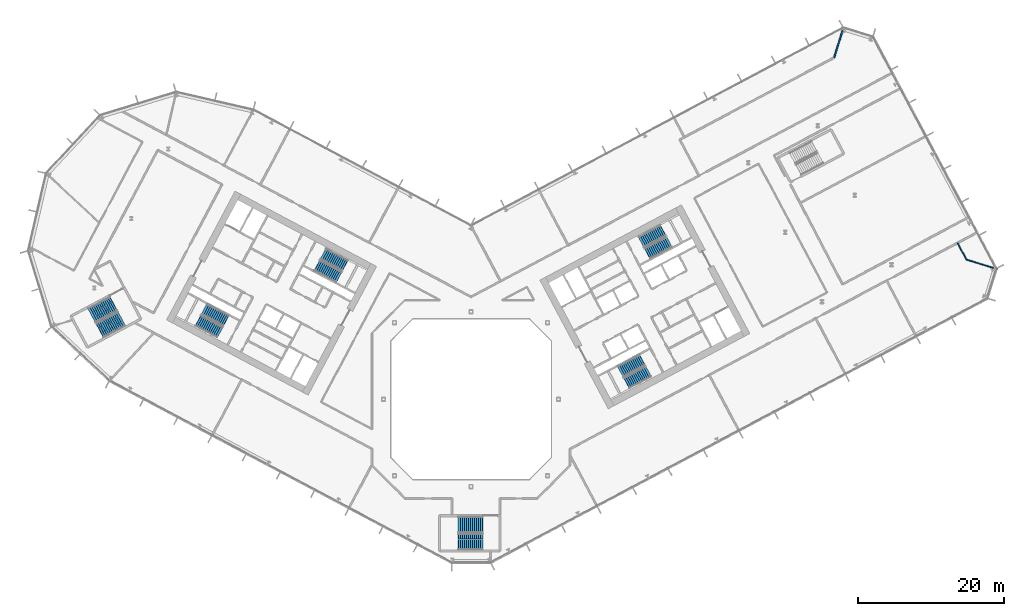
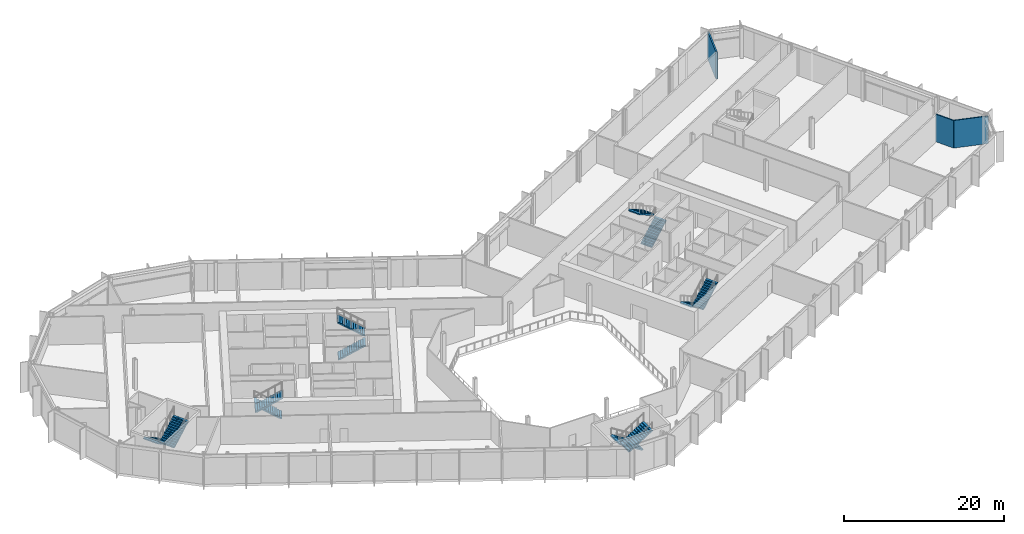
# One storey, part 19 of 32: 12 stair flights, 3 walls, 6 elements without a shape of their own.
"""IFC4 building model written with IfcOpenShell, lengths in metres."""

import ifcopenshell
import ifcopenshell.guid

model = None  # the IFC model being written
_history = None  # IfcOwnerHistory: only IFC2X3 demands one
_inside = {}  # id of a spatial element -> (the spatial element, [elements in it])
_under = {}  # id of a project, library or spatial element -> (it, [spatial elements below it])
_declared = {}  # id of a project -> (the project, [libraries it declares])
_typed = {}  # id of a type object -> (the type object, [elements of that type])
_made_of = {}  # id of a material, layer set ... -> (it, [elements and type objects made of it])


def new_model(schema):
    """Start an empty IFC model of exactly this schema.

    Asked for "IFC4X3", IfcOpenShell would pick the latest addendum, in which some entities
    have other attributes; the version numbers below select the first issue.
    IFC2X3 requires an IfcOwnerHistory on every rooted entity: one is made here for all.
    """
    global model, _history
    if schema == "IFC4X3":
        model = ifcopenshell.file(schema_version=(4, 3, 0, 0))
    else:
        model = ifcopenshell.file(schema=schema)
    _inside.clear()
    _under.clear()
    _declared.clear()
    _typed.clear()
    _made_of.clear()
    _history = None
    if model.schema == "IFC2X3":
        org = make("IfcOrganization", Name="unknown")
        user = make(
            "IfcPersonAndOrganization",
            ThePerson=make("IfcPerson", FamilyName="unknown"),
            TheOrganization=org,
        )
        app = make(
            "IfcApplication",
            ApplicationDeveloper=org,
            Version="unknown",
            ApplicationFullName="unknown",
            ApplicationIdentifier="unknown",
        )
        _history = make(
            "IfcOwnerHistory",
            OwningUser=user,
            OwningApplication=app,
            ChangeAction="ADDED",
            CreationDate=0,
        )
    return model


def make(cls, **values):
    """One entity of the class cls with the attributes given. An attribute that is None is left unset."""
    return model.create_entity(
        cls, **{name: value for name, value in values.items() if value is not None}
    )


def rooted(cls, **values):
    """An entity with a GlobalId (a new one), such as an element, a storey or a relation."""
    return make(cls, GlobalId=ifcopenshell.guid.new(), OwnerHistory=_history, **values)


def si_unit(unit_type, name, prefix=None):
    """IfcSIUnit, for example si_unit("LENGTHUNIT", "METRE", prefix="MILLI")."""
    return make("IfcSIUnit", UnitType=unit_type, Prefix=prefix, Name=name)


def assignment(units):
    """IfcUnitAssignment: the units of a project."""
    return None if units is None else make("IfcUnitAssignment", Units=units)


def point(xyz):
    """IfcCartesianPoint."""
    return None if xyz is None else make("IfcCartesianPoint", Coordinates=xyz)


def direction(xyz):
    """IfcDirection."""
    return None if xyz is None else make("IfcDirection", DirectionRatios=xyz)


def frame(location, z_axis=None, x_axis=None):
    """IfcAxis2Placement3D, a coordinate frame: its origin and axes. An axis left out is left unset."""
    return make(
        "IfcAxis2Placement3D",
        Location=point(location),
        Axis=direction(z_axis),
        RefDirection=direction(x_axis),
    )


def frame_2d(location, x_axis=None):
    """IfcAxis2Placement2D, a coordinate frame in the plane: its origin and x axis."""
    return make(
        "IfcAxis2Placement2D", Location=point(location), RefDirection=direction(x_axis)
    )


def origin():
    """The frame at (0, 0, 0) with its axes left unset."""
    return frame((0.0, 0.0, 0.0))


def place(relative_to, where):
    """IfcLocalPlacement: puts the frame where relative to a parent placement (None: the world)."""
    return make(
        "IfcLocalPlacement", PlacementRelTo=relative_to, RelativePlacement=where
    )


def context(
    kind, dimensions, precision=None, world=None, true_north=None, identifier=None
):
    """IfcGeometricRepresentationContext, for example the 3D "Model" context."""
    return make(
        "IfcGeometricRepresentationContext",
        ContextIdentifier=identifier,
        ContextType=kind,
        CoordinateSpaceDimension=dimensions,
        Precision=precision,
        WorldCoordinateSystem=world,
        TrueNorth=true_north,
    )


def subcontext(parent, identifier, kind, view, scale=None):
    """IfcGeometricRepresentationSubContext, for example "Body" below "Model"."""
    return make(
        "IfcGeometricRepresentationSubContext",
        ContextIdentifier=identifier,
        ContextType=kind,
        ParentContext=parent,
        TargetScale=scale,
        TargetView=view,
    )


def project(units=None, contexts=None):
    """IfcProject with its units and contexts."""
    return rooted(
        "IfcProject",
        Name="project",
        RepresentationContexts=contexts,
        UnitsInContext=assignment(units),
    )


def spatial(cls, under=None, at=None, **own):
    """A site, building, storey or space (cls), placed at a placement, below another one or the project."""
    s = rooted(cls, ObjectPlacement=at, **own)
    if under is not None:
        _under.setdefault(under.id(), (under, []))[1].append(s)
    return s


def polyline(points):
    """IfcPolyline through the points."""
    return make("IfcPolyline", Points=[point(p) for p in points])


def profile(cls, at=None, kind="AREA", **sizes):
    """A parametric profile (cls). Its sizes go by their IFC names, for example OverallWidth=200.0."""
    return make(cls, ProfileType=kind, Position=at, **sizes)


def rectangle(**sizes):
    """IfcRectangleProfileDef."""
    return profile("IfcRectangleProfileDef", **sizes)


def outline(outer, holes=None, kind="AREA"):
    """IfcArbitraryClosedProfileDef: a profile drawn as a closed curve; with holes, ...WithVoids."""
    if holes is None:
        return make("IfcArbitraryClosedProfileDef", ProfileType=kind, OuterCurve=outer)
    return make(
        "IfcArbitraryProfileDefWithVoids",
        ProfileType=kind,
        OuterCurve=outer,
        InnerCurves=holes,
    )


def extrude(swept, where, along, depth):
    """IfcExtrudedAreaSolid: the profile swept, set in the frame where, extruded along a direction by depth."""
    return make(
        "IfcExtrudedAreaSolid",
        SweptArea=swept,
        Position=where,
        ExtrudedDirection=direction(along),
        Depth=depth,
    )


def shape(context_of_items, identifier, shape_type, items):
    """IfcShapeRepresentation: the items that make up one representation, for example the "Body"."""
    return make(
        "IfcShapeRepresentation",
        ContextOfItems=context_of_items,
        RepresentationIdentifier=identifier,
        RepresentationType=shape_type,
        Items=items,
    )


def material(Name=None, Category=None):
    """IfcMaterial."""
    return make("IfcMaterial", Name=Name, Category=Category)


def layer(
    of_material, thickness, ventilated=None, Name=None, Category=None, Priority=None
):
    """IfcMaterialLayer: one layer of a wall or slab, of a material (None: an air gap)."""
    return make(
        "IfcMaterialLayer",
        Material=of_material,
        LayerThickness=thickness,
        IsVentilated=ventilated,
        Name=Name,
        Category=Category,
        Priority=Priority,
    )


def layer_set(layers, Name=None):
    """IfcMaterialLayerSet."""
    return make("IfcMaterialLayerSet", MaterialLayers=layers, LayerSetName=Name)


def made_of(thing, what):
    """Note that an element or type object is made of a material, layer set ...; save() writes the relation."""
    if what is not None:
        _made_of.setdefault(what.id(), (what, []))[1].append(thing)
    return thing


def type_object(cls, material=None, **own):
    """A type object (cls), such as IfcWallType, which elements share."""
    return made_of(rooted(cls, **own), material)


def element(
    cls,
    number,
    at=None,
    inside=None,
    cuts=None,
    type_object=None,
    material=None,
    context=None,
    identifier="Body",
    shape_type=None,
    held_by="IfcProductDefinitionShape",
    body=None,
    shapes=None,
    **own,
):
    """One element of the class cls, such as IfcWall. Its Tag is "e" and its number.

    at: its placement. inside: the storey or other place that contains it. cuts: it is an
    opening in that element (IfcRelVoidsElement). A single representation is given by context,
    identifier, shape_type and body (its items); several are given by shapes. held_by: the class
    of the entity that holds the representations. save() writes the other relations.
    """
    e = rooted(cls, Tag="e%d" % number, ObjectPlacement=at, **own)
    if body is not None:
        shapes = [shape(context, identifier, shape_type, body)]
    if shapes is not None:
        e.Representation = make(held_by, Representations=shapes)
    if inside is not None:
        _inside.setdefault(inside.id(), (inside, []))[1].append(e)
    if cuts is not None:
        rooted(
            "IfcRelVoidsElement", RelatingBuildingElement=cuts, RelatedOpeningElement=e
        )
    if type_object is not None:
        _typed.setdefault(type_object.id(), (type_object, []))[1].append(e)
    return made_of(e, material)


def aggregate(whole, parts):
    """IfcRelAggregates: a whole, such as a stair, and the parts it consists of."""
    return rooted("IfcRelAggregates", RelatingObject=whole, RelatedObjects=parts)


def save(model, path):
    """Write the relations noted so far, then the file.

    IfcRelAggregates (storeys below a building ...), IfcRelContainedInSpatialStructure (elements
    in a storey), IfcRelDefinesByType, IfcRelAssociatesMaterial and IfcRelDeclares: one each for
    every whole, place, type object, material and project.
    """
    for whole, parts in _under.values():
        aggregate(whole, parts)
    for where, things in _inside.values():
        rooted(
            "IfcRelContainedInSpatialStructure",
            RelatedElements=things,
            RelatingStructure=where,
        )
    for kind, things in _typed.values():
        rooted("IfcRelDefinesByType", RelatedObjects=things, RelatingType=kind)
    for what, things in _made_of.values():
        rooted("IfcRelAssociatesMaterial", RelatedObjects=things, RelatingMaterial=what)
    for by, libraries in _declared.values():
        rooted("IfcRelDeclares", RelatingContext=by, RelatedDefinitions=libraries)
    model.write(path)


model = new_model("IFC4")

# Units and contexts
model_context = context("Model", 3, precision=1e-05, world=origin(), true_north=direction((0.0, 1.0)))
body_context = subcontext(model_context, "Body", "Model", "MODEL_VIEW")
ifc_project = project(units=[si_unit("LENGTHUNIT", "METRE"), si_unit("AREAUNIT", "SQUARE_METRE"), si_unit("VOLUMEUNIT", "CUBIC_METRE"), si_unit("PLANEANGLEUNIT", "RADIAN"), si_unit("MASSUNIT", "GRAM", prefix="KILO")], contexts=[model_context])

# Site, building, storey
site_placement = place(None, origin())
site = spatial("IfcSite", under=ifc_project, at=site_placement, CompositionType="ELEMENT")
building_placement = place(site_placement, origin())
building = spatial("IfcBuilding", under=site, at=building_placement, Name="Cormorant Relay Tower", CompositionType="ELEMENT")
storey_placement = place(building_placement, frame((0.0, 0.0, 70.800048828125)))
storey = spatial("IfcBuildingStorey", under=building, at=storey_placement, Name="L13", CompositionType="ELEMENT", Elevation=70.800048828125)

# Walls
ifc_material_1 = material(Name="Fire-rated gypsum board partition")
ifc_layer_1 = layer(ifc_material_1, 0.199951171875)
ifc_layer_set_1 = layer_set([ifc_layer_1], Name="Fire-rated gypsum partition 200")
wall_type_1 = type_object("IfcWallType", Name="Fire-rated gypsum partition 200", PredefinedType="PARTITIONING", material=ifc_layer_set_1)
wall_1_placement = place(storey_placement, frame((49.823974609375, 46.8779296875, 0.0), z_axis=(0.0, 0.0, 1.0), x_axis=(0.29242717897, 0.956287794024, 0.0)))
element("IfcWall", 1, at=wall_1_placement, inside=storey, type_object=wall_type_1, Name="wall/L13/part/39", PredefinedType="PARTITIONING", context=body_context, shape_type="SweptSolid", body=[
    extrude(rectangle(XDim=4.458984375, YDim=0.199951171875, at=frame_2d((2.2294921875, 0.0))), origin(), (0.0, 0.0, 1.0), 4.199951171875),
])
ifc_material_2 = material(Name="Gypsum board partition")
ifc_layer_2 = layer(ifc_material_2, 0.14990234375)
ifc_layer_set_2 = layer_set([ifc_layer_2], Name="Gypsum board partition 150")
wall_type_2 = type_object("IfcWallType", Name="Gypsum board partition 150", PredefinedType="PARTITIONING", material=ifc_layer_set_2)
wall_2_placement = place(storey_placement, frame((66.743896484375, 21.445068359375, 0.0), z_axis=(0.0, 0.0, 1.0), x_axis=(0.469720428517, -0.882815223608, 0.0)))
element("IfcWall", 2, at=wall_2_placement, inside=storey, type_object=wall_type_2, Name="wall/L13/part/50", PredefinedType="PARTITIONING", context=body_context, shape_type="SweptSolid", body=[
    extrude(rectangle(XDim=2.599853515625, YDim=0.14990234375, at=frame_2d((1.2998046875, 0.0))), origin(), (0.0, 0.0, 1.0), 4.199951171875),
])
wall_3_placement = place(storey_placement, frame((67.965087890625, 19.14990234375, 0.0), z_axis=(0.0, 0.0, 1.0), x_axis=(0.956221844793, -0.292642757539, 0.0)))
element("IfcWall", 3, at=wall_3_placement, inside=storey, type_object=wall_type_2, Name="wall/L13/part/51", PredefinedType="PARTITIONING", context=body_context, shape_type="SweptSolid", body=[
    extrude(rectangle(XDim=4.459228515625, YDim=0.14990234375, at=frame_2d((2.2294921875, 0.0))), origin(), (0.0, 0.0, 1.0), 4.199951171875),
])

# Stair, stair flights
ifc_material_3 = material(Name="Concrete 40 MPa", Category="concrete")
stair_type_1 = type_object("IfcStairType", Name="Exit stair 1500", PredefinedType="HALF_TURN_STAIR", material=ifc_material_3)
stair_1_placement = place(storey_placement, origin())
stair_1 = element("IfcStair", 4, at=stair_1_placement, inside=storey, type_object=stair_type_1, Name="L13 Stair", PredefinedType="HALF_TURN_STAIR")
ifc_material_4 = material(Name="Concrete 40 MPa", Category="concrete")
stair_flight_type_1 = type_object("IfcStairFlightType", Name="Exit stair flight 1650", PredefinedType="STRAIGHT", material=ifc_material_4)
stair_flight_1_placement = place(storey_placement, frame((-21.114501953125, 18.33349609375, 0.0), z_axis=(0.0, 0.0, 1.0), x_axis=(0.882947592859, -0.469471562786, 0.0)))
stair_flight_1 = element("IfcStairFlight", 5, at=stair_flight_1_placement, type_object=stair_flight_type_1, Name="A1 flight 1", NumberOfRisers=13, NumberOfTreads=12, PredefinedType="STRAIGHT", RiserHeight=0.176923077, TreadLength=0.28, context=body_context, shape_type="SweptSolid", body=[
    extrude(outline(polyline([(-0.050048828125, -0.080078125), (-0.050048828125, 0.0), (0.0, 0.0), (0.0, 0.177001953125), (0.280029296875, 0.177001953125), (0.280029296875, 0.353759765625), (0.56005859375, 0.353759765625), (0.56005859375, 0.53076171875), (0.840087890625, 0.53076171875), (0.840087890625, 0.707763671875), (1.1201171875, 0.707763671875), (1.1201171875, 0.884521484375), (1.39990234375, 0.884521484375), (1.39990234375, 1.0615234375), (1.679931640625, 1.0615234375), (1.679931640625, 1.238525390625), (1.9599609375, 1.238525390625), (1.9599609375, 1.415283203125), (2.239990234375, 1.415283203125), (2.239990234375, 1.59228515625), (2.52001953125, 1.59228515625), (2.52001953125, 1.769287109375), (2.800048828125, 1.769287109375), (2.800048828125, 1.946044921875), (3.080078125, 1.946044921875), (3.080078125, 2.123046875), (3.360107421875, 2.123046875), (3.41015625, 2.123046875), (3.41015625, 1.94580078125), (3.360107421875, 1.94580078125), (0.280517578125, 0.0), (-0.050048828125, -0.080078125)])), frame((0.0, 0.824951171875, 0.0), z_axis=(0.0, -1.0, 0.0), x_axis=(1.0, 0.0, 0.0)), (0.0, 0.0, 1.0), 1.64990234375),
])
stair_flight_2_placement = place(storey_placement, frame((-17.302734375, 18.345458984375, 2.300048828125), z_axis=(0.0, 0.0, 1.0), x_axis=(-0.882947592859, 0.469471562786, 0.0)))
stair_flight_2 = element("IfcStairFlight", 6, at=stair_flight_2_placement, type_object=stair_flight_type_1, Name="A1 flight 2", NumberOfRisers=13, NumberOfTreads=12, PredefinedType="STRAIGHT", RiserHeight=0.176923077, TreadLength=0.28, context=body_context, shape_type="SweptSolid", body=[
    extrude(outline(polyline([(-0.050048828125, -0.080078125), (-0.050048828125, 0.0), (0.0, 0.0), (0.0, 0.177001953125), (0.280029296875, 0.177001953125), (0.280029296875, 0.353759765625), (0.56005859375, 0.353759765625), (0.56005859375, 0.53076171875), (0.840087890625, 0.53076171875), (0.840087890625, 0.707763671875), (1.1201171875, 0.707763671875), (1.1201171875, 0.884521484375), (1.39990234375, 0.884521484375), (1.39990234375, 1.0615234375), (1.679931640625, 1.0615234375), (1.679931640625, 1.238525390625), (1.9599609375, 1.238525390625), (1.9599609375, 1.415283203125), (2.239990234375, 1.415283203125), (2.239990234375, 1.59228515625), (2.52001953125, 1.59228515625), (2.52001953125, 1.769287109375), (2.800048828125, 1.769287109375), (2.800048828125, 1.946044921875), (3.080078125, 1.946044921875), (3.080078125, 2.123046875), (3.360107421875, 2.123046875), (3.41015625, 2.123046875), (3.41015625, 1.94580078125), (3.360107421875, 1.94580078125), (0.280517578125, 0.0), (-0.050048828125, -0.080078125)])), frame((0.0, 0.824951171875, 0.0), z_axis=(0.0, -1.0, 0.0), x_axis=(1.0, 0.0, 0.0)), (0.0, 0.0, 1.0), 1.64990234375),
])
aggregate(stair_1, [stair_flight_1, stair_flight_2])

stair_2_placement = place(storey_placement, origin())
stair_2 = element("IfcStair", 7, at=stair_2_placement, inside=storey, type_object=stair_type_1, Name="L13 Stair", PredefinedType="HALF_TURN_STAIR")
stair_flight_3_placement = place(storey_placement, frame((-33.62841796875, 10.773681640625, 0.0), z_axis=(0.0, 0.0, 1.0), x_axis=(-0.882947592859, 0.469471562786, 0.0)))
stair_flight_3 = element("IfcStairFlight", 8, at=stair_flight_3_placement, type_object=stair_flight_type_1, Name="A2 flight 1", NumberOfRisers=13, NumberOfTreads=12, PredefinedType="STRAIGHT", RiserHeight=0.176923077, TreadLength=0.28, context=body_context, shape_type="SweptSolid", body=[
    extrude(outline(polyline([(-0.050048828125, -0.080078125), (-0.050048828125, 0.0), (0.0, 0.0), (0.0, 0.177001953125), (0.280029296875, 0.177001953125), (0.280029296875, 0.353759765625), (0.56005859375, 0.353759765625), (0.56005859375, 0.53076171875), (0.840087890625, 0.53076171875), (0.840087890625, 0.707763671875), (1.1201171875, 0.707763671875), (1.1201171875, 0.884521484375), (1.39990234375, 0.884521484375), (1.39990234375, 1.0615234375), (1.679931640625, 1.0615234375), (1.679931640625, 1.238525390625), (1.9599609375, 1.238525390625), (1.9599609375, 1.415283203125), (2.239990234375, 1.415283203125), (2.239990234375, 1.59228515625), (2.52001953125, 1.59228515625), (2.52001953125, 1.769287109375), (2.800048828125, 1.769287109375), (2.800048828125, 1.946044921875), (3.080078125, 1.946044921875), (3.080078125, 2.123046875), (3.360107421875, 2.123046875), (3.41015625, 2.123046875), (3.41015625, 1.94580078125), (3.360107421875, 1.94580078125), (0.280517578125, 0.0), (-0.050048828125, -0.080078125)])), frame((0.0, 0.824951171875, 0.0), z_axis=(0.0, -1.0, 0.0), x_axis=(1.0, 0.0, 0.0)), (0.0, 0.0, 1.0), 1.64990234375),
])
stair_flight_4_placement = place(storey_placement, frame((-37.440185546875, 10.76171875, 2.300048828125), z_axis=(0.0, 0.0, 1.0), x_axis=(0.882947592859, -0.469471562786, 0.0)))
stair_flight_4 = element("IfcStairFlight", 9, at=stair_flight_4_placement, type_object=stair_flight_type_1, Name="A2 flight 2", NumberOfRisers=13, NumberOfTreads=12, PredefinedType="STRAIGHT", RiserHeight=0.176923077, TreadLength=0.28, context=body_context, shape_type="SweptSolid", body=[
    extrude(outline(polyline([(-0.050048828125, -0.080078125), (-0.050048828125, 0.0), (0.0, 0.0), (0.0, 0.177001953125), (0.280029296875, 0.177001953125), (0.280029296875, 0.353759765625), (0.56005859375, 0.353759765625), (0.56005859375, 0.53076171875), (0.840087890625, 0.53076171875), (0.840087890625, 0.707763671875), (1.1201171875, 0.707763671875), (1.1201171875, 0.884521484375), (1.39990234375, 0.884521484375), (1.39990234375, 1.0615234375), (1.679931640625, 1.0615234375), (1.679931640625, 1.238525390625), (1.9599609375, 1.238525390625), (1.9599609375, 1.415283203125), (2.239990234375, 1.415283203125), (2.239990234375, 1.59228515625), (2.52001953125, 1.59228515625), (2.52001953125, 1.769287109375), (2.800048828125, 1.769287109375), (2.800048828125, 1.946044921875), (3.080078125, 1.946044921875), (3.080078125, 2.123046875), (3.360107421875, 2.123046875), (3.41015625, 2.123046875), (3.41015625, 1.94580078125), (3.360107421875, 1.94580078125), (0.280517578125, 0.0), (-0.050048828125, -0.080078125)])), frame((0.0, 0.824951171875, 0.0), z_axis=(0.0, -1.0, 0.0), x_axis=(1.0, 0.0, 0.0)), (0.0, 0.0, 1.0), 1.64990234375),
])
aggregate(stair_2, [stair_flight_3, stair_flight_4])

stair_3_placement = place(storey_placement, origin())
stair_3 = element("IfcStair", 10, at=stair_3_placement, inside=storey, type_object=stair_type_1, Name="L13 Stair", PredefinedType="HALF_TURN_STAIR")
stair_flight_5_placement = place(storey_placement, frame((23.474365234375, 5.374755859375, 0.0), z_axis=(0.0, 0.0, 1.0), x_axis=(-0.882947592859, -0.469471562786, 0.0)))
stair_flight_5 = element("IfcStairFlight", 11, at=stair_flight_5_placement, type_object=stair_flight_type_1, Name="B1 flight 1", NumberOfRisers=13, NumberOfTreads=12, PredefinedType="STRAIGHT", RiserHeight=0.176923077, TreadLength=0.28, context=body_context, shape_type="SweptSolid", body=[
    extrude(outline(polyline([(-0.050048828125, -0.080078125), (-0.050048828125, 0.0), (0.0, 0.0), (0.0, 0.177001953125), (0.280029296875, 0.177001953125), (0.280029296875, 0.353759765625), (0.56005859375, 0.353759765625), (0.56005859375, 0.53076171875), (0.840087890625, 0.53076171875), (0.840087890625, 0.707763671875), (1.1201171875, 0.707763671875), (1.1201171875, 0.884521484375), (1.39990234375, 0.884521484375), (1.39990234375, 1.0615234375), (1.679931640625, 1.0615234375), (1.679931640625, 1.238525390625), (1.9599609375, 1.238525390625), (1.9599609375, 1.415283203125), (2.239990234375, 1.415283203125), (2.239990234375, 1.59228515625), (2.52001953125, 1.59228515625), (2.52001953125, 1.769287109375), (2.800048828125, 1.769287109375), (2.800048828125, 1.946044921875), (3.080078125, 1.946044921875), (3.080078125, 2.123046875), (3.360107421875, 2.123046875), (3.41015625, 2.123046875), (3.41015625, 1.94580078125), (3.360107421875, 1.94580078125), (0.280517578125, 0.0), (-0.050048828125, -0.080078125)])), frame((0.0, 0.824951171875, 0.0), z_axis=(0.0, -1.0, 0.0), x_axis=(1.0, 0.0, 0.0)), (0.0, 0.0, 1.0), 1.64990234375),
])
stair_flight_6_placement = place(storey_placement, frame((21.352783203125, 2.2080078125, 2.300048828125), z_axis=(0.0, 0.0, 1.0), x_axis=(0.882947592859, 0.469471562786, 0.0)))
stair_flight_6 = element("IfcStairFlight", 12, at=stair_flight_6_placement, type_object=stair_flight_type_1, Name="B1 flight 2", NumberOfRisers=13, NumberOfTreads=12, PredefinedType="STRAIGHT", RiserHeight=0.176923077, TreadLength=0.28, context=body_context, shape_type="SweptSolid", body=[
    extrude(outline(polyline([(-0.050048828125, -0.080078125), (-0.050048828125, 0.0), (0.0, 0.0), (0.0, 0.177001953125), (0.280029296875, 0.177001953125), (0.280029296875, 0.353759765625), (0.56005859375, 0.353759765625), (0.56005859375, 0.53076171875), (0.840087890625, 0.53076171875), (0.840087890625, 0.707763671875), (1.1201171875, 0.707763671875), (1.1201171875, 0.884521484375), (1.39990234375, 0.884521484375), (1.39990234375, 1.0615234375), (1.679931640625, 1.0615234375), (1.679931640625, 1.238525390625), (1.9599609375, 1.238525390625), (1.9599609375, 1.415283203125), (2.239990234375, 1.415283203125), (2.239990234375, 1.59228515625), (2.52001953125, 1.59228515625), (2.52001953125, 1.769287109375), (2.800048828125, 1.769287109375), (2.800048828125, 1.946044921875), (3.080078125, 1.946044921875), (3.080078125, 2.123046875), (3.360107421875, 2.123046875), (3.41015625, 2.123046875), (3.41015625, 1.94580078125), (3.360107421875, 1.94580078125), (0.280517578125, 0.0), (-0.050048828125, -0.080078125)])), frame((0.0, 0.824951171875, 0.0), z_axis=(0.0, -1.0, 0.0), x_axis=(1.0, 0.0, 0.0)), (0.0, 0.0, 1.0), 1.64990234375),
])
aggregate(stair_3, [stair_flight_5, stair_flight_6])

stair_4_placement = place(storey_placement, origin())
stair_4 = element("IfcStair", 13, at=stair_4_placement, inside=storey, type_object=stair_type_1, Name="L13 Stair", PredefinedType="HALF_TURN_STAIR")
stair_flight_7_placement = place(storey_placement, frame((24.20458984375, 19.976806640625, 0.0), z_axis=(0.0, 0.0, 1.0), x_axis=(0.882947592859, 0.469471562786, 0.0)))
stair_flight_7 = element("IfcStairFlight", 14, at=stair_flight_7_placement, type_object=stair_flight_type_1, Name="B2 flight 1", NumberOfRisers=13, NumberOfTreads=12, PredefinedType="STRAIGHT", RiserHeight=0.176923077, TreadLength=0.28, context=body_context, shape_type="SweptSolid", body=[
    extrude(outline(polyline([(-0.050048828125, -0.080078125), (-0.050048828125, 0.0), (0.0, 0.0), (0.0, 0.177001953125), (0.280029296875, 0.177001953125), (0.280029296875, 0.353759765625), (0.56005859375, 0.353759765625), (0.56005859375, 0.53076171875), (0.840087890625, 0.53076171875), (0.840087890625, 0.707763671875), (1.1201171875, 0.707763671875), (1.1201171875, 0.884521484375), (1.39990234375, 0.884521484375), (1.39990234375, 1.0615234375), (1.679931640625, 1.0615234375), (1.679931640625, 1.238525390625), (1.9599609375, 1.238525390625), (1.9599609375, 1.415283203125), (2.239990234375, 1.415283203125), (2.239990234375, 1.59228515625), (2.52001953125, 1.59228515625), (2.52001953125, 1.769287109375), (2.800048828125, 1.769287109375), (2.800048828125, 1.946044921875), (3.080078125, 1.946044921875), (3.080078125, 2.123046875), (3.360107421875, 2.123046875), (3.41015625, 2.123046875), (3.41015625, 1.94580078125), (3.360107421875, 1.94580078125), (0.280517578125, 0.0), (-0.050048828125, -0.080078125)])), frame((0.0, 0.824951171875, 0.0), z_axis=(0.0, -1.0, 0.0), x_axis=(1.0, 0.0, 0.0)), (0.0, 0.0, 1.0), 1.64990234375),
])
stair_flight_8_placement = place(storey_placement, frame((26.326416015625, 23.1435546875, 2.300048828125), z_axis=(0.0, 0.0, 1.0), x_axis=(-0.882947592859, -0.469471562786, 0.0)))
stair_flight_8 = element("IfcStairFlight", 15, at=stair_flight_8_placement, type_object=stair_flight_type_1, Name="B2 flight 2", NumberOfRisers=13, NumberOfTreads=12, PredefinedType="STRAIGHT", RiserHeight=0.176923077, TreadLength=0.28, context=body_context, shape_type="SweptSolid", body=[
    extrude(outline(polyline([(-0.050048828125, -0.080078125), (-0.050048828125, 0.0), (0.0, 0.0), (0.0, 0.177001953125), (0.280029296875, 0.177001953125), (0.280029296875, 0.353759765625), (0.56005859375, 0.353759765625), (0.56005859375, 0.53076171875), (0.840087890625, 0.53076171875), (0.840087890625, 0.707763671875), (1.1201171875, 0.707763671875), (1.1201171875, 0.884521484375), (1.39990234375, 0.884521484375), (1.39990234375, 1.0615234375), (1.679931640625, 1.0615234375), (1.679931640625, 1.238525390625), (1.9599609375, 1.238525390625), (1.9599609375, 1.415283203125), (2.239990234375, 1.415283203125), (2.239990234375, 1.59228515625), (2.52001953125, 1.59228515625), (2.52001953125, 1.769287109375), (2.800048828125, 1.769287109375), (2.800048828125, 1.946044921875), (3.080078125, 1.946044921875), (3.080078125, 2.123046875), (3.360107421875, 2.123046875), (3.41015625, 2.123046875), (3.41015625, 1.94580078125), (3.360107421875, 1.94580078125), (0.280517578125, 0.0), (-0.050048828125, -0.080078125)])), frame((0.0, 0.824951171875, 0.0), z_axis=(0.0, -1.0, 0.0), x_axis=(1.0, 0.0, 0.0)), (0.0, 0.0, 1.0), 1.64990234375),
])
aggregate(stair_4, [stair_flight_7, stair_flight_8])

ifc_material_5 = material(Name="Concrete 40 MPa", Category="concrete")
stair_type_2 = type_object("IfcStairType", Name="Remote exit stair 2200", PredefinedType="HALF_TURN_STAIR", material=ifc_material_5)
stair_5_placement = place(storey_placement, origin())
stair_5 = element("IfcStair", 16, at=stair_5_placement, inside=storey, type_object=stair_type_2, Name="L13 Stair", PredefinedType="HALF_TURN_STAIR")
ifc_material_6 = material(Name="Concrete 40 MPa", Category="concrete")
stair_flight_type_2 = type_object("IfcStairFlightType", Name="Remote exit stair flight 2200", PredefinedType="STRAIGHT", material=ifc_material_6)
stair_flight_9_placement = place(storey_placement, frame((1.60009765625, -17.22509765625, 0.0), z_axis=(0.0, 0.0, 1.0), x_axis=(-1.0, 0.0, 0.0)))
stair_flight_9 = element("IfcStairFlight", 17, at=stair_flight_9_placement, type_object=stair_flight_type_2, Name="RK1 flight 1", NumberOfRisers=13, NumberOfTreads=12, PredefinedType="STRAIGHT", RiserHeight=0.176923077, TreadLength=0.28, context=body_context, shape_type="SweptSolid", body=[
    extrude(outline(polyline([(-0.050048828125, -0.080078125), (-0.050048828125, 0.0), (0.0, 0.0), (0.0, 0.177001953125), (0.280029296875, 0.177001953125), (0.280029296875, 0.353759765625), (0.56005859375, 0.353759765625), (0.56005859375, 0.53076171875), (0.840087890625, 0.53076171875), (0.840087890625, 0.707763671875), (1.1201171875, 0.707763671875), (1.1201171875, 0.884521484375), (1.39990234375, 0.884521484375), (1.39990234375, 1.0615234375), (1.679931640625, 1.0615234375), (1.679931640625, 1.238525390625), (1.9599609375, 1.238525390625), (1.9599609375, 1.415283203125), (2.239990234375, 1.415283203125), (2.239990234375, 1.59228515625), (2.52001953125, 1.59228515625), (2.52001953125, 1.769287109375), (2.800048828125, 1.769287109375), (2.800048828125, 1.946044921875), (3.080078125, 1.946044921875), (3.080078125, 2.123046875), (3.360107421875, 2.123046875), (3.41015625, 2.123046875), (3.41015625, 1.94580078125), (3.360107421875, 1.94580078125), (0.280517578125, 0.0), (-0.050048828125, -0.080078125)])), frame((0.0, 1.10009765625, 0.0), z_axis=(0.0, -1.0, 0.0), x_axis=(1.0, 0.0, 0.0)), (0.0, 0.0, 1.0), 0.719970703125),
    extrude(outline(polyline([(-0.050048828125, -0.080078125), (-0.050048828125, 0.0), (0.0, 0.0), (0.0, 0.177001953125), (0.280029296875, 0.177001953125), (0.280029296875, 0.353759765625), (0.56005859375, 0.353759765625), (0.56005859375, 0.53076171875), (0.840087890625, 0.53076171875), (0.840087890625, 0.707763671875), (1.1201171875, 0.707763671875), (1.1201171875, 0.884521484375), (1.39990234375, 0.884521484375), (1.39990234375, 1.0615234375), (1.679931640625, 1.0615234375), (1.679931640625, 1.238525390625), (1.9599609375, 1.238525390625), (1.9599609375, 1.415283203125), (2.239990234375, 1.415283203125), (2.239990234375, 1.59228515625), (2.52001953125, 1.59228515625), (2.52001953125, 1.769287109375), (2.800048828125, 1.769287109375), (2.800048828125, 1.946044921875), (3.080078125, 1.946044921875), (3.080078125, 2.123046875), (3.360107421875, 2.123046875), (3.41015625, 2.123046875), (3.41015625, 1.94580078125), (3.360107421875, 1.94580078125), (0.280517578125, 0.0), (-0.050048828125, -0.080078125)])), frame((0.0, 0.360107421875, 0.0), z_axis=(0.0, -1.0, 0.0), x_axis=(1.0, 0.0, 0.0)), (0.0, 0.0, 1.0), 0.719970703125),
    extrude(outline(polyline([(-0.050048828125, -0.080078125), (-0.050048828125, 0.0), (0.0, 0.0), (0.0, 0.177001953125), (0.280029296875, 0.177001953125), (0.280029296875, 0.353759765625), (0.56005859375, 0.353759765625), (0.56005859375, 0.53076171875), (0.840087890625, 0.53076171875), (0.840087890625, 0.707763671875), (1.1201171875, 0.707763671875), (1.1201171875, 0.884521484375), (1.39990234375, 0.884521484375), (1.39990234375, 1.0615234375), (1.679931640625, 1.0615234375), (1.679931640625, 1.238525390625), (1.9599609375, 1.238525390625), (1.9599609375, 1.415283203125), (2.239990234375, 1.415283203125), (2.239990234375, 1.59228515625), (2.52001953125, 1.59228515625), (2.52001953125, 1.769287109375), (2.800048828125, 1.769287109375), (2.800048828125, 1.946044921875), (3.080078125, 1.946044921875), (3.080078125, 2.123046875), (3.360107421875, 2.123046875), (3.41015625, 2.123046875), (3.41015625, 1.94580078125), (3.360107421875, 1.94580078125), (0.280517578125, 0.0), (-0.050048828125, -0.080078125)])), frame((0.0, -0.3798828125, 0.0), z_axis=(0.0, -1.0, 0.0), x_axis=(1.0, 0.0, 0.0)), (0.0, 0.0, 1.0), 0.719970703125),
])
stair_flight_10_placement = place(storey_placement, frame((-1.760009765625, -19.574951171875, 2.300048828125), z_axis=(0.0, 0.0, 1.0), x_axis=(1.0, 0.0, 0.0)))
stair_flight_10 = element("IfcStairFlight", 18, at=stair_flight_10_placement, type_object=stair_flight_type_2, Name="RK1 flight 2", NumberOfRisers=13, NumberOfTreads=12, PredefinedType="STRAIGHT", RiserHeight=0.176923077, TreadLength=0.28, context=body_context, shape_type="SweptSolid", body=[
    extrude(outline(polyline([(-0.050048828125, -0.080078125), (-0.050048828125, 0.0), (0.0, 0.0), (0.0, 0.177001953125), (0.280029296875, 0.177001953125), (0.280029296875, 0.353759765625), (0.56005859375, 0.353759765625), (0.56005859375, 0.53076171875), (0.840087890625, 0.53076171875), (0.840087890625, 0.707763671875), (1.1201171875, 0.707763671875), (1.1201171875, 0.884521484375), (1.39990234375, 0.884521484375), (1.39990234375, 1.0615234375), (1.679931640625, 1.0615234375), (1.679931640625, 1.238525390625), (1.9599609375, 1.238525390625), (1.9599609375, 1.415283203125), (2.239990234375, 1.415283203125), (2.239990234375, 1.59228515625), (2.52001953125, 1.59228515625), (2.52001953125, 1.769287109375), (2.800048828125, 1.769287109375), (2.800048828125, 1.946044921875), (3.080078125, 1.946044921875), (3.080078125, 2.123046875), (3.360107421875, 2.123046875), (3.41015625, 2.123046875), (3.41015625, 1.94580078125), (3.360107421875, 1.94580078125), (0.280517578125, 0.0), (-0.050048828125, -0.080078125)])), frame((0.0, 1.10009765625, 0.0), z_axis=(0.0, -1.0, 0.0), x_axis=(1.0, 0.0, 0.0)), (0.0, 0.0, 1.0), 0.719970703125),
    extrude(outline(polyline([(-0.050048828125, -0.080078125), (-0.050048828125, 0.0), (0.0, 0.0), (0.0, 0.177001953125), (0.280029296875, 0.177001953125), (0.280029296875, 0.353759765625), (0.56005859375, 0.353759765625), (0.56005859375, 0.53076171875), (0.840087890625, 0.53076171875), (0.840087890625, 0.707763671875), (1.1201171875, 0.707763671875), (1.1201171875, 0.884521484375), (1.39990234375, 0.884521484375), (1.39990234375, 1.0615234375), (1.679931640625, 1.0615234375), (1.679931640625, 1.238525390625), (1.9599609375, 1.238525390625), (1.9599609375, 1.415283203125), (2.239990234375, 1.415283203125), (2.239990234375, 1.59228515625), (2.52001953125, 1.59228515625), (2.52001953125, 1.769287109375), (2.800048828125, 1.769287109375), (2.800048828125, 1.946044921875), (3.080078125, 1.946044921875), (3.080078125, 2.123046875), (3.360107421875, 2.123046875), (3.41015625, 2.123046875), (3.41015625, 1.94580078125), (3.360107421875, 1.94580078125), (0.280517578125, 0.0), (-0.050048828125, -0.080078125)])), frame((0.0, 0.360107421875, 0.0), z_axis=(0.0, -1.0, 0.0), x_axis=(1.0, 0.0, 0.0)), (0.0, 0.0, 1.0), 0.719970703125),
    extrude(outline(polyline([(-0.050048828125, -0.080078125), (-0.050048828125, 0.0), (0.0, 0.0), (0.0, 0.177001953125), (0.280029296875, 0.177001953125), (0.280029296875, 0.353759765625), (0.56005859375, 0.353759765625), (0.56005859375, 0.53076171875), (0.840087890625, 0.53076171875), (0.840087890625, 0.707763671875), (1.1201171875, 0.707763671875), (1.1201171875, 0.884521484375), (1.39990234375, 0.884521484375), (1.39990234375, 1.0615234375), (1.679931640625, 1.0615234375), (1.679931640625, 1.238525390625), (1.9599609375, 1.238525390625), (1.9599609375, 1.415283203125), (2.239990234375, 1.415283203125), (2.239990234375, 1.59228515625), (2.52001953125, 1.59228515625), (2.52001953125, 1.769287109375), (2.800048828125, 1.769287109375), (2.800048828125, 1.946044921875), (3.080078125, 1.946044921875), (3.080078125, 2.123046875), (3.360107421875, 2.123046875), (3.41015625, 2.123046875), (3.41015625, 1.94580078125), (3.360107421875, 1.94580078125), (0.280517578125, 0.0), (-0.050048828125, -0.080078125)])), frame((0.0, -0.3798828125, 0.0), z_axis=(0.0, -1.0, 0.0), x_axis=(1.0, 0.0, 0.0)), (0.0, 0.0, 1.0), 0.719970703125),
])
aggregate(stair_5, [stair_flight_9, stair_flight_10])

stair_6_placement = place(storey_placement, origin())
stair_6 = element("IfcStair", 19, at=stair_6_placement, inside=storey, type_object=stair_type_2, Name="L13 Stair", PredefinedType="HALF_TURN_STAIR")
stair_flight_11_placement = place(storey_placement, frame((-49.062255859375, 13.08251953125, 0.0), z_axis=(0.0, 0.0, 1.0), x_axis=(-0.882947502727, -0.4694717323, 0.0)))
stair_flight_11 = element("IfcStairFlight", 20, at=stair_flight_11_placement, type_object=stair_flight_type_2, Name="RP1 flight 1", NumberOfRisers=13, NumberOfTreads=12, PredefinedType="STRAIGHT", RiserHeight=0.176923077, TreadLength=0.28, context=body_context, shape_type="SweptSolid", body=[
    extrude(outline(polyline([(-0.050048828125, -0.080078125), (-0.050048828125, 0.0), (0.0, 0.0), (0.0, 0.177001953125), (0.280029296875, 0.177001953125), (0.280029296875, 0.353759765625), (0.56005859375, 0.353759765625), (0.56005859375, 0.53076171875), (0.840087890625, 0.53076171875), (0.840087890625, 0.707763671875), (1.1201171875, 0.707763671875), (1.1201171875, 0.884521484375), (1.39990234375, 0.884521484375), (1.39990234375, 1.0615234375), (1.679931640625, 1.0615234375), (1.679931640625, 1.238525390625), (1.9599609375, 1.238525390625), (1.9599609375, 1.415283203125), (2.239990234375, 1.415283203125), (2.239990234375, 1.59228515625), (2.52001953125, 1.59228515625), (2.52001953125, 1.769287109375), (2.800048828125, 1.769287109375), (2.800048828125, 1.946044921875), (3.080078125, 1.946044921875), (3.080078125, 2.123046875), (3.360107421875, 2.123046875), (3.41015625, 2.123046875), (3.41015625, 1.94580078125), (3.360107421875, 1.94580078125), (0.280517578125, 0.0), (-0.050048828125, -0.080078125)])), frame((0.0, 1.10009765625, 0.0), z_axis=(0.0, -1.0, 0.0), x_axis=(1.0, 0.0, 0.0)), (0.0, 0.0, 1.0), 0.719970703125),
    extrude(outline(polyline([(-0.050048828125, -0.080078125), (-0.050048828125, 0.0), (0.0, 0.0), (0.0, 0.177001953125), (0.280029296875, 0.177001953125), (0.280029296875, 0.353759765625), (0.56005859375, 0.353759765625), (0.56005859375, 0.53076171875), (0.840087890625, 0.53076171875), (0.840087890625, 0.707763671875), (1.1201171875, 0.707763671875), (1.1201171875, 0.884521484375), (1.39990234375, 0.884521484375), (1.39990234375, 1.0615234375), (1.679931640625, 1.0615234375), (1.679931640625, 1.238525390625), (1.9599609375, 1.238525390625), (1.9599609375, 1.415283203125), (2.239990234375, 1.415283203125), (2.239990234375, 1.59228515625), (2.52001953125, 1.59228515625), (2.52001953125, 1.769287109375), (2.800048828125, 1.769287109375), (2.800048828125, 1.946044921875), (3.080078125, 1.946044921875), (3.080078125, 2.123046875), (3.360107421875, 2.123046875), (3.41015625, 2.123046875), (3.41015625, 1.94580078125), (3.360107421875, 1.94580078125), (0.280517578125, 0.0), (-0.050048828125, -0.080078125)])), frame((0.0, 0.360107421875, 0.0), z_axis=(0.0, -1.0, 0.0), x_axis=(1.0, 0.0, 0.0)), (0.0, 0.0, 1.0), 0.719970703125),
    extrude(outline(polyline([(-0.050048828125, -0.080078125), (-0.050048828125, 0.0), (0.0, 0.0), (0.0, 0.177001953125), (0.280029296875, 0.177001953125), (0.280029296875, 0.353759765625), (0.56005859375, 0.353759765625), (0.56005859375, 0.53076171875), (0.840087890625, 0.53076171875), (0.840087890625, 0.707763671875), (1.1201171875, 0.707763671875), (1.1201171875, 0.884521484375), (1.39990234375, 0.884521484375), (1.39990234375, 1.0615234375), (1.679931640625, 1.0615234375), (1.679931640625, 1.238525390625), (1.9599609375, 1.238525390625), (1.9599609375, 1.415283203125), (2.239990234375, 1.415283203125), (2.239990234375, 1.59228515625), (2.52001953125, 1.59228515625), (2.52001953125, 1.769287109375), (2.800048828125, 1.769287109375), (2.800048828125, 1.946044921875), (3.080078125, 1.946044921875), (3.080078125, 2.123046875), (3.360107421875, 2.123046875), (3.41015625, 2.123046875), (3.41015625, 1.94580078125), (3.360107421875, 1.94580078125), (0.280517578125, 0.0), (-0.050048828125, -0.080078125)])), frame((0.0, -0.3798828125, 0.0), z_axis=(0.0, -1.0, 0.0), x_axis=(1.0, 0.0, 0.0)), (0.0, 0.0, 1.0), 0.719970703125),
])
stair_flight_12_placement = place(storey_placement, frame((-50.92578125, 9.43017578125, 2.300048828125), z_axis=(0.0, 0.0, 1.0), x_axis=(0.882947502727, 0.4694717323, 0.0)))
stair_flight_12 = element("IfcStairFlight", 21, at=stair_flight_12_placement, type_object=stair_flight_type_2, Name="RP1 flight 2", NumberOfRisers=13, NumberOfTreads=12, PredefinedType="STRAIGHT", RiserHeight=0.176923077, TreadLength=0.28, context=body_context, shape_type="SweptSolid", body=[
    extrude(outline(polyline([(-0.050048828125, -0.080078125), (-0.050048828125, 0.0), (0.0, 0.0), (0.0, 0.177001953125), (0.280029296875, 0.177001953125), (0.280029296875, 0.353759765625), (0.56005859375, 0.353759765625), (0.56005859375, 0.53076171875), (0.840087890625, 0.53076171875), (0.840087890625, 0.707763671875), (1.1201171875, 0.707763671875), (1.1201171875, 0.884521484375), (1.39990234375, 0.884521484375), (1.39990234375, 1.0615234375), (1.679931640625, 1.0615234375), (1.679931640625, 1.238525390625), (1.9599609375, 1.238525390625), (1.9599609375, 1.415283203125), (2.239990234375, 1.415283203125), (2.239990234375, 1.59228515625), (2.52001953125, 1.59228515625), (2.52001953125, 1.769287109375), (2.800048828125, 1.769287109375), (2.800048828125, 1.946044921875), (3.080078125, 1.946044921875), (3.080078125, 2.123046875), (3.360107421875, 2.123046875), (3.41015625, 2.123046875), (3.41015625, 1.94580078125), (3.360107421875, 1.94580078125), (0.280517578125, 0.0), (-0.050048828125, -0.080078125)])), frame((0.0, 1.10009765625, 0.0), z_axis=(0.0, -1.0, 0.0), x_axis=(1.0, 0.0, 0.0)), (0.0, 0.0, 1.0), 0.719970703125),
    extrude(outline(polyline([(-0.050048828125, -0.080078125), (-0.050048828125, 0.0), (0.0, 0.0), (0.0, 0.177001953125), (0.280029296875, 0.177001953125), (0.280029296875, 0.353759765625), (0.56005859375, 0.353759765625), (0.56005859375, 0.53076171875), (0.840087890625, 0.53076171875), (0.840087890625, 0.707763671875), (1.1201171875, 0.707763671875), (1.1201171875, 0.884521484375), (1.39990234375, 0.884521484375), (1.39990234375, 1.0615234375), (1.679931640625, 1.0615234375), (1.679931640625, 1.238525390625), (1.9599609375, 1.238525390625), (1.9599609375, 1.415283203125), (2.239990234375, 1.415283203125), (2.239990234375, 1.59228515625), (2.52001953125, 1.59228515625), (2.52001953125, 1.769287109375), (2.800048828125, 1.769287109375), (2.800048828125, 1.946044921875), (3.080078125, 1.946044921875), (3.080078125, 2.123046875), (3.360107421875, 2.123046875), (3.41015625, 2.123046875), (3.41015625, 1.94580078125), (3.360107421875, 1.94580078125), (0.280517578125, 0.0), (-0.050048828125, -0.080078125)])), frame((0.0, 0.360107421875, 0.0), z_axis=(0.0, -1.0, 0.0), x_axis=(1.0, 0.0, 0.0)), (0.0, 0.0, 1.0), 0.719970703125),
    extrude(outline(polyline([(-0.050048828125, -0.080078125), (-0.050048828125, 0.0), (0.0, 0.0), (0.0, 0.177001953125), (0.280029296875, 0.177001953125), (0.280029296875, 0.353759765625), (0.56005859375, 0.353759765625), (0.56005859375, 0.53076171875), (0.840087890625, 0.53076171875), (0.840087890625, 0.707763671875), (1.1201171875, 0.707763671875), (1.1201171875, 0.884521484375), (1.39990234375, 0.884521484375), (1.39990234375, 1.0615234375), (1.679931640625, 1.0615234375), (1.679931640625, 1.238525390625), (1.9599609375, 1.238525390625), (1.9599609375, 1.415283203125), (2.239990234375, 1.415283203125), (2.239990234375, 1.59228515625), (2.52001953125, 1.59228515625), (2.52001953125, 1.769287109375), (2.800048828125, 1.769287109375), (2.800048828125, 1.946044921875), (3.080078125, 1.946044921875), (3.080078125, 2.123046875), (3.360107421875, 2.123046875), (3.41015625, 2.123046875), (3.41015625, 1.94580078125), (3.360107421875, 1.94580078125), (0.280517578125, 0.0), (-0.050048828125, -0.080078125)])), frame((0.0, -0.3798828125, 0.0), z_axis=(0.0, -1.0, 0.0), x_axis=(1.0, 0.0, 0.0)), (0.0, 0.0, 1.0), 0.719970703125),
])
aggregate(stair_6, [stair_flight_11, stair_flight_12])

save(model, "model.ifc")
